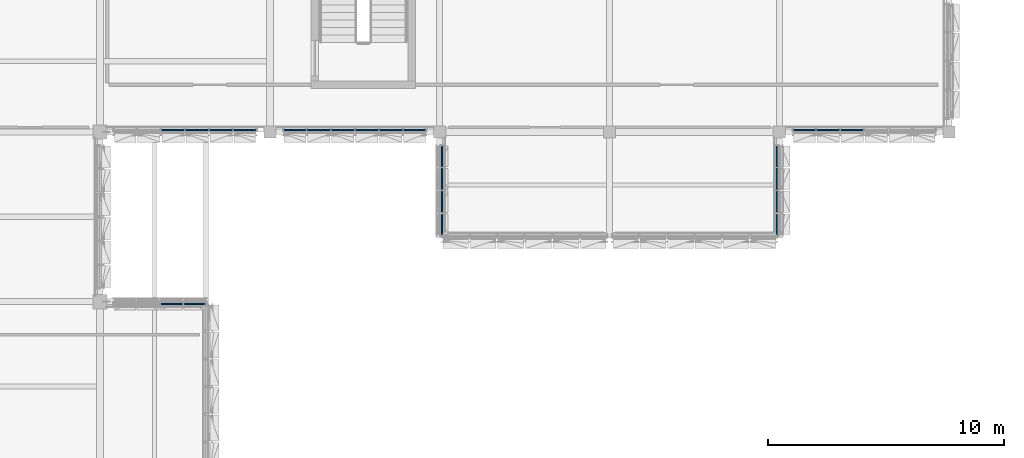
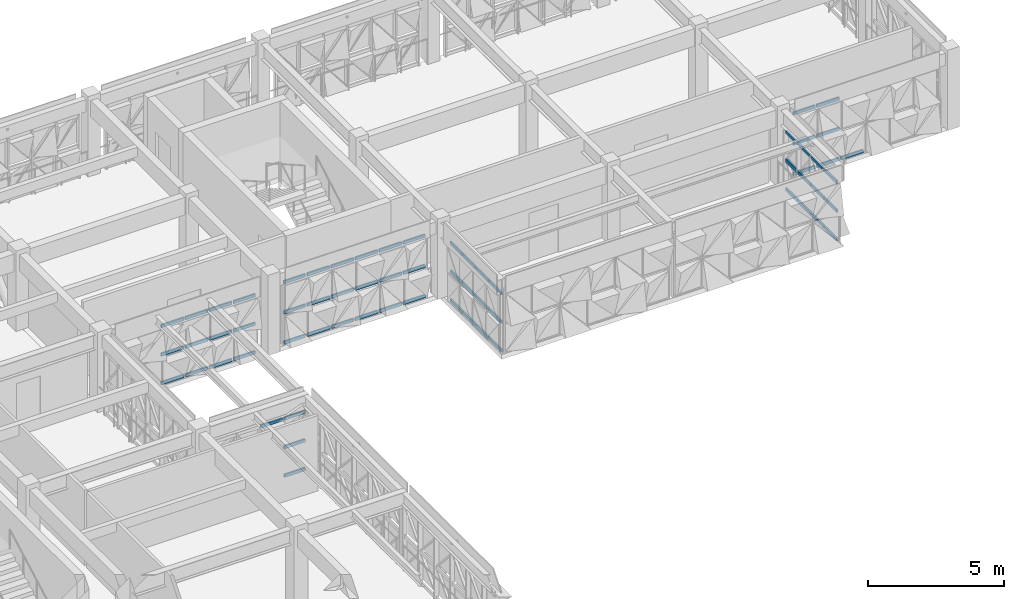
# One storey, part 24 of 99: 65 members, 6 elements without a shape of their own.
"""IFC4 building model written with IfcOpenShell, lengths in metres."""

from ifc_helpers import new_model, si_unit, direction, frame, origin, origin_2d, place, context, subcontext, project, spatial, rectangle, extrude, material, material_profile, profile_set, type_object, element, aggregate, save


model = new_model("IFC4")

# Units and contexts
model_context = context("Model", 3, precision=1e-05, world=origin(), true_north=direction((0.0, 1.0)))
body_context = subcontext(model_context, "Body", "Model", "MODEL_VIEW")
ifc_project = project(units=[si_unit("LENGTHUNIT", "METRE"), si_unit("AREAUNIT", "SQUARE_METRE"), si_unit("VOLUMEUNIT", "CUBIC_METRE"), si_unit("PLANEANGLEUNIT", "RADIAN"), si_unit("MASSUNIT", "GRAM", prefix="KILO")], contexts=[model_context])

# Site, building, storey
site_placement = place(None, origin())
site = spatial("IfcSite", under=ifc_project, at=site_placement, CompositionType="ELEMENT")
building_placement = place(site_placement, origin())
building = spatial("IfcBuilding", under=site, at=building_placement, Name="Alvorim Cloister Faculty of Sciences", CompositionType="ELEMENT")
storey_placement = place(building_placement, frame((0.0, 0.0, 12.14990234375)))
storey = spatial("IfcBuildingStorey", under=building, at=storey_placement, Name="L03", CompositionType="ELEMENT", Elevation=12.14990234375)

# Curtain wall, members
ifc_material_1 = material(Name="Aluminium and Low-E Glass Curtain Wall", Category="aluminium")
curtain_wall_type_1 = type_object("IfcCurtainWallType", Name="CW-TRI-6120x2850", PredefinedType="USERDEFINED", material=ifc_material_1)
curtain_wall_1_placement = place(storey_placement, origin())
curtain_wall_1 = element("IfcCurtainWall", 1, at=curtain_wall_1_placement, inside=storey, type_object=curtain_wall_type_1, Name="L03 Diagonal Cassette Curtain Wall CW-0132", ObjectType="UNITISED CURTAIN WALL", PredefinedType="USERDEFINED")
ifc_material_2 = material(Name="Aluminium Alloy 6063-T6", Category="aluminium")
ifc_material_profile = material_profile(ifc_material_2, rectangle(XDim=0.06494140625, YDim=0.139892578125, at=origin_2d()), Name="ALU-TRN-65x140")
ifc_profile_set = profile_set([ifc_material_profile], Name="Aluminium Alloy 6063-T6")
member_type = type_object("IfcMemberType", Name="CW-TRN-65x140", PredefinedType="USERDEFINED", material=ifc_profile_set)
member_1_placement = place(storey_placement, frame((58.205078125, 43.2900390625, 0.070068359375), z_axis=(1.0, 0.0, 0.0), x_axis=(0.0, 1.0, 0.0)))
member_1 = element("IfcMember", 2, at=member_1_placement, type_object=member_type, Name="CW-0132 Transom 1.1", ObjectType="TRANSOM", PredefinedType="USERDEFINED", context=body_context, shape_type="SweptSolid", body=[
    extrude(rectangle(XDim=0.06494140625, YDim=0.139892578125, at=origin_2d()), origin(), (0.0, 0.0, 1.0), 0.92236328125),
])
member_2_placement = place(storey_placement, frame((58.205078125, 43.2900390625, 1.425048828125), z_axis=(1.0, 0.0, 0.0), x_axis=(0.0, 1.0, 0.0)))
member_2 = element("IfcMember", 3, at=member_2_placement, type_object=member_type, Name="CW-0132 Transom 1.2", ObjectType="TRANSOM", PredefinedType="USERDEFINED", context=body_context, shape_type="SweptSolid", body=[
    extrude(rectangle(XDim=0.06494140625, YDim=0.139892578125, at=origin_2d()), origin(), (0.0, 0.0, 1.0), 0.92236328125),
])
member_3_placement = place(storey_placement, frame((58.205078125, 43.2900390625, 2.780029296875), z_axis=(1.0, 0.0, 0.0), x_axis=(0.0, 1.0, 0.0)))
member_3 = element("IfcMember", 4, at=member_3_placement, type_object=member_type, Name="CW-0132 Transom 1.3", ObjectType="TRANSOM", PredefinedType="USERDEFINED", context=body_context, shape_type="SweptSolid", body=[
    extrude(rectangle(XDim=0.06494140625, YDim=0.139892578125, at=origin_2d()), origin(), (0.0, 0.0, 1.0), 0.92236328125),
])
member_4_placement = place(storey_placement, frame((59.1923828125, 43.2900390625, 0.070068359375), z_axis=(1.0, 0.0, 0.0), x_axis=(0.0, 1.0, 0.0)))
member_4 = element("IfcMember", 5, at=member_4_placement, type_object=member_type, Name="CW-0132 Transom 2.1", ObjectType="TRANSOM", PredefinedType="USERDEFINED", context=body_context, shape_type="SweptSolid", body=[
    extrude(rectangle(XDim=0.06494140625, YDim=0.139892578125, at=origin_2d()), origin(), (0.0, 0.0, 1.0), 0.955078125),
])
member_5_placement = place(storey_placement, frame((59.1923828125, 43.2900390625, 1.425048828125), z_axis=(1.0, 0.0, 0.0), x_axis=(0.0, 1.0, 0.0)))
member_5 = element("IfcMember", 6, at=member_5_placement, type_object=member_type, Name="CW-0132 Transom 2.2", ObjectType="TRANSOM", PredefinedType="USERDEFINED", context=body_context, shape_type="SweptSolid", body=[
    extrude(rectangle(XDim=0.06494140625, YDim=0.139892578125, at=origin_2d()), origin(), (0.0, 0.0, 1.0), 0.955078125),
])
member_6_placement = place(storey_placement, frame((59.1923828125, 43.2900390625, 2.780029296875), z_axis=(1.0, 0.0, 0.0), x_axis=(0.0, 1.0, 0.0)))
member_6 = element("IfcMember", 7, at=member_6_placement, type_object=member_type, Name="CW-0132 Transom 2.3", ObjectType="TRANSOM", PredefinedType="USERDEFINED", context=body_context, shape_type="SweptSolid", body=[
    extrude(rectangle(XDim=0.06494140625, YDim=0.139892578125, at=origin_2d()), origin(), (0.0, 0.0, 1.0), 0.955078125),
])
member_7_placement = place(storey_placement, frame((60.21240234375, 43.2900390625, 0.070068359375), z_axis=(1.0, 0.0, 0.0), x_axis=(0.0, 1.0, 0.0)))
member_7 = element("IfcMember", 8, at=member_7_placement, type_object=member_type, Name="CW-0132 Transom 3.1", ObjectType="TRANSOM", PredefinedType="USERDEFINED", context=body_context, shape_type="SweptSolid", body=[
    extrude(rectangle(XDim=0.06494140625, YDim=0.139892578125, at=origin_2d()), origin(), (0.0, 0.0, 1.0), 0.955078125),
])
aggregate(curtain_wall_1, [member_1, member_2, member_3, member_4, member_5, member_6, member_7])

curtain_wall_type_2 = type_object("IfcCurtainWallType", Name="CW-TRI-3880x2706", PredefinedType="USERDEFINED", material=ifc_material_1)
curtain_wall_2_placement = place(storey_placement, origin())
curtain_wall_2 = element("IfcCurtainWall", 9, at=curtain_wall_2_placement, inside=storey, type_object=curtain_wall_type_2, Name="L03 Diagonal Cassette Curtain Wall CW-0133", ObjectType="UNITISED CURTAIN WALL", PredefinedType="USERDEFINED")
member_8_placement = place(storey_placement, frame((57.510009765625, 38.844970703125, 0.070068359375), z_axis=(0.0, 1.0, 0.0), x_axis=(-1.0, 0.0, 0.0)))
member_8 = element("IfcMember", 10, at=member_8_placement, type_object=member_type, Name="CW-0133 Transom 1.1", ObjectType="TRANSOM", PredefinedType="USERDEFINED", context=body_context, shape_type="SweptSolid", body=[
    extrude(rectangle(XDim=0.06494140625, YDim=0.139892578125, at=origin_2d()), origin(), (0.0, 0.0, 1.0), 0.87255859375),
])
member_9_placement = place(storey_placement, frame((57.510009765625, 38.844970703125, 1.35302734375), z_axis=(0.0, 1.0, 0.0), x_axis=(-1.0, 0.0, 0.0)))
member_9 = element("IfcMember", 11, at=member_9_placement, type_object=member_type, Name="CW-0133 Transom 1.2", ObjectType="TRANSOM", PredefinedType="USERDEFINED", context=body_context, shape_type="SweptSolid", body=[
    extrude(rectangle(XDim=0.06494140625, YDim=0.139892578125, at=origin_2d()), origin(), (0.0, 0.0, 1.0), 0.87255859375),
])
member_10_placement = place(storey_placement, frame((57.510009765625, 38.844970703125, 2.635986328125), z_axis=(0.0, 1.0, 0.0), x_axis=(-1.0, 0.0, 0.0)))
member_10 = element("IfcMember", 12, at=member_10_placement, type_object=member_type, Name="CW-0133 Transom 1.3", ObjectType="TRANSOM", PredefinedType="USERDEFINED", context=body_context, shape_type="SweptSolid", body=[
    extrude(rectangle(XDim=0.06494140625, YDim=0.139892578125, at=origin_2d()), origin(), (0.0, 0.0, 1.0), 0.87255859375),
])
member_11_placement = place(storey_placement, frame((57.510009765625, 39.782470703125, 0.070068359375), z_axis=(0.0, 1.0, 0.0), x_axis=(-1.0, 0.0, 0.0)))
member_11 = element("IfcMember", 13, at=member_11_placement, type_object=member_type, Name="CW-0133 Transom 2.1", ObjectType="TRANSOM", PredefinedType="USERDEFINED", context=body_context, shape_type="SweptSolid", body=[
    extrude(rectangle(XDim=0.06494140625, YDim=0.139892578125, at=origin_2d()), origin(), (0.0, 0.0, 1.0), 0.905029296875),
])
member_12_placement = place(storey_placement, frame((57.510009765625, 39.782470703125, 1.35302734375), z_axis=(0.0, 1.0, 0.0), x_axis=(-1.0, 0.0, 0.0)))
member_12 = element("IfcMember", 14, at=member_12_placement, type_object=member_type, Name="CW-0133 Transom 2.2", ObjectType="TRANSOM", PredefinedType="USERDEFINED", context=body_context, shape_type="SweptSolid", body=[
    extrude(rectangle(XDim=0.06494140625, YDim=0.139892578125, at=origin_2d()), origin(), (0.0, 0.0, 1.0), 0.905029296875),
])
member_13_placement = place(storey_placement, frame((57.510009765625, 39.782470703125, 2.635986328125), z_axis=(0.0, 1.0, 0.0), x_axis=(-1.0, 0.0, 0.0)))
member_13 = element("IfcMember", 15, at=member_13_placement, type_object=member_type, Name="CW-0133 Transom 2.3", ObjectType="TRANSOM", PredefinedType="USERDEFINED", context=body_context, shape_type="SweptSolid", body=[
    extrude(rectangle(XDim=0.06494140625, YDim=0.139892578125, at=origin_2d()), origin(), (0.0, 0.0, 1.0), 0.905029296875),
])
member_14_placement = place(storey_placement, frame((57.510009765625, 40.75244140625, 0.070068359375), z_axis=(0.0, 1.0, 0.0), x_axis=(-1.0, 0.0, 0.0)))
member_14 = element("IfcMember", 16, at=member_14_placement, type_object=member_type, Name="CW-0133 Transom 3.1", ObjectType="TRANSOM", PredefinedType="USERDEFINED", context=body_context, shape_type="SweptSolid", body=[
    extrude(rectangle(XDim=0.06494140625, YDim=0.139892578125, at=origin_2d()), origin(), (0.0, 0.0, 1.0), 0.905029296875),
])
member_15_placement = place(storey_placement, frame((57.510009765625, 40.75244140625, 1.35302734375), z_axis=(0.0, 1.0, 0.0), x_axis=(-1.0, 0.0, 0.0)))
member_15 = element("IfcMember", 17, at=member_15_placement, type_object=member_type, Name="CW-0133 Transom 3.2", ObjectType="TRANSOM", PredefinedType="USERDEFINED", context=body_context, shape_type="SweptSolid", body=[
    extrude(rectangle(XDim=0.06494140625, YDim=0.139892578125, at=origin_2d()), origin(), (0.0, 0.0, 1.0), 0.905029296875),
])
member_16_placement = place(storey_placement, frame((57.510009765625, 40.75244140625, 2.635986328125), z_axis=(0.0, 1.0, 0.0), x_axis=(-1.0, 0.0, 0.0)))
member_16 = element("IfcMember", 18, at=member_16_placement, type_object=member_type, Name="CW-0133 Transom 3.3", ObjectType="TRANSOM", PredefinedType="USERDEFINED", context=body_context, shape_type="SweptSolid", body=[
    extrude(rectangle(XDim=0.06494140625, YDim=0.139892578125, at=origin_2d()), origin(), (0.0, 0.0, 1.0), 0.905029296875),
])
member_17_placement = place(storey_placement, frame((57.510009765625, 41.722412109375, 0.070068359375), z_axis=(0.0, 1.0, 0.0), x_axis=(-1.0, 0.0, 0.0)))
member_17 = element("IfcMember", 19, at=member_17_placement, type_object=member_type, Name="CW-0133 Transom 4.1", ObjectType="TRANSOM", PredefinedType="USERDEFINED", context=body_context, shape_type="SweptSolid", body=[
    extrude(rectangle(XDim=0.06494140625, YDim=0.139892578125, at=origin_2d()), origin(), (0.0, 0.0, 1.0), 0.87255859375),
])
member_18_placement = place(storey_placement, frame((57.510009765625, 41.722412109375, 1.35302734375), z_axis=(0.0, 1.0, 0.0), x_axis=(-1.0, 0.0, 0.0)))
member_18 = element("IfcMember", 20, at=member_18_placement, type_object=member_type, Name="CW-0133 Transom 4.2", ObjectType="TRANSOM", PredefinedType="USERDEFINED", context=body_context, shape_type="SweptSolid", body=[
    extrude(rectangle(XDim=0.06494140625, YDim=0.139892578125, at=origin_2d()), origin(), (0.0, 0.0, 1.0), 0.87255859375),
])
member_19_placement = place(storey_placement, frame((57.510009765625, 41.722412109375, 2.635986328125), z_axis=(0.0, 1.0, 0.0), x_axis=(-1.0, 0.0, 0.0)))
member_19 = element("IfcMember", 21, at=member_19_placement, type_object=member_type, Name="CW-0133 Transom 4.3", ObjectType="TRANSOM", PredefinedType="USERDEFINED", context=body_context, shape_type="SweptSolid", body=[
    extrude(rectangle(XDim=0.06494140625, YDim=0.139892578125, at=origin_2d()), origin(), (0.0, 0.0, 1.0), 0.87255859375),
])
aggregate(curtain_wall_2, [member_8, member_9, member_10, member_11, member_12, member_13, member_14, member_15, member_16, member_17, member_18, member_19])

curtain_wall_3_placement = place(storey_placement, origin())
curtain_wall_3 = element("IfcCurtainWall", 22, at=curtain_wall_3_placement, inside=storey, type_object=curtain_wall_type_2, Name="L03 Diagonal Cassette Curtain Wall CW-0136", ObjectType="UNITISED CURTAIN WALL", PredefinedType="USERDEFINED")
member_20_placement = place(storey_placement, frame((43.2900390625, 38.844970703125, 0.070068359375), z_axis=(0.0, 1.0, 0.0), x_axis=(-1.0, 0.0, 0.0)))
member_20 = element("IfcMember", 23, at=member_20_placement, type_object=member_type, Name="CW-0136 Transom 1.1", ObjectType="TRANSOM", PredefinedType="USERDEFINED", context=body_context, shape_type="SweptSolid", body=[
    extrude(rectangle(XDim=0.06494140625, YDim=0.139892578125, at=origin_2d()), origin(), (0.0, 0.0, 1.0), 0.87255859375),
])
member_21_placement = place(storey_placement, frame((43.2900390625, 38.844970703125, 1.35302734375), z_axis=(0.0, 1.0, 0.0), x_axis=(-1.0, 0.0, 0.0)))
member_21 = element("IfcMember", 24, at=member_21_placement, type_object=member_type, Name="CW-0136 Transom 1.2", ObjectType="TRANSOM", PredefinedType="USERDEFINED", context=body_context, shape_type="SweptSolid", body=[
    extrude(rectangle(XDim=0.06494140625, YDim=0.139892578125, at=origin_2d()), origin(), (0.0, 0.0, 1.0), 0.87255859375),
])
member_22_placement = place(storey_placement, frame((43.2900390625, 38.844970703125, 2.635986328125), z_axis=(0.0, 1.0, 0.0), x_axis=(-1.0, 0.0, 0.0)))
member_22 = element("IfcMember", 25, at=member_22_placement, type_object=member_type, Name="CW-0136 Transom 1.3", ObjectType="TRANSOM", PredefinedType="USERDEFINED", context=body_context, shape_type="SweptSolid", body=[
    extrude(rectangle(XDim=0.06494140625, YDim=0.139892578125, at=origin_2d()), origin(), (0.0, 0.0, 1.0), 0.87255859375),
])
member_23_placement = place(storey_placement, frame((43.2900390625, 39.782470703125, 0.070068359375), z_axis=(0.0, 1.0, 0.0), x_axis=(-1.0, 0.0, 0.0)))
member_23 = element("IfcMember", 26, at=member_23_placement, type_object=member_type, Name="CW-0136 Transom 2.1", ObjectType="TRANSOM", PredefinedType="USERDEFINED", context=body_context, shape_type="SweptSolid", body=[
    extrude(rectangle(XDim=0.06494140625, YDim=0.139892578125, at=origin_2d()), origin(), (0.0, 0.0, 1.0), 0.905029296875),
])
member_24_placement = place(storey_placement, frame((43.2900390625, 39.782470703125, 1.35302734375), z_axis=(0.0, 1.0, 0.0), x_axis=(-1.0, 0.0, 0.0)))
member_24 = element("IfcMember", 27, at=member_24_placement, type_object=member_type, Name="CW-0136 Transom 2.2", ObjectType="TRANSOM", PredefinedType="USERDEFINED", context=body_context, shape_type="SweptSolid", body=[
    extrude(rectangle(XDim=0.06494140625, YDim=0.139892578125, at=origin_2d()), origin(), (0.0, 0.0, 1.0), 0.905029296875),
])
member_25_placement = place(storey_placement, frame((43.2900390625, 39.782470703125, 2.635986328125), z_axis=(0.0, 1.0, 0.0), x_axis=(-1.0, 0.0, 0.0)))
member_25 = element("IfcMember", 28, at=member_25_placement, type_object=member_type, Name="CW-0136 Transom 2.3", ObjectType="TRANSOM", PredefinedType="USERDEFINED", context=body_context, shape_type="SweptSolid", body=[
    extrude(rectangle(XDim=0.06494140625, YDim=0.139892578125, at=origin_2d()), origin(), (0.0, 0.0, 1.0), 0.905029296875),
])
member_26_placement = place(storey_placement, frame((43.2900390625, 40.75244140625, 0.070068359375), z_axis=(0.0, 1.0, 0.0), x_axis=(-1.0, 0.0, 0.0)))
member_26 = element("IfcMember", 29, at=member_26_placement, type_object=member_type, Name="CW-0136 Transom 3.1", ObjectType="TRANSOM", PredefinedType="USERDEFINED", context=body_context, shape_type="SweptSolid", body=[
    extrude(rectangle(XDim=0.06494140625, YDim=0.139892578125, at=origin_2d()), origin(), (0.0, 0.0, 1.0), 0.905029296875),
])
member_27_placement = place(storey_placement, frame((43.2900390625, 40.75244140625, 1.35302734375), z_axis=(0.0, 1.0, 0.0), x_axis=(-1.0, 0.0, 0.0)))
member_27 = element("IfcMember", 30, at=member_27_placement, type_object=member_type, Name="CW-0136 Transom 3.2", ObjectType="TRANSOM", PredefinedType="USERDEFINED", context=body_context, shape_type="SweptSolid", body=[
    extrude(rectangle(XDim=0.06494140625, YDim=0.139892578125, at=origin_2d()), origin(), (0.0, 0.0, 1.0), 0.905029296875),
])
member_28_placement = place(storey_placement, frame((43.2900390625, 40.75244140625, 2.635986328125), z_axis=(0.0, 1.0, 0.0), x_axis=(-1.0, 0.0, 0.0)))
member_28 = element("IfcMember", 31, at=member_28_placement, type_object=member_type, Name="CW-0136 Transom 3.3", ObjectType="TRANSOM", PredefinedType="USERDEFINED", context=body_context, shape_type="SweptSolid", body=[
    extrude(rectangle(XDim=0.06494140625, YDim=0.139892578125, at=origin_2d()), origin(), (0.0, 0.0, 1.0), 0.905029296875),
])
member_29_placement = place(storey_placement, frame((43.2900390625, 41.722412109375, 0.070068359375), z_axis=(0.0, 1.0, 0.0), x_axis=(-1.0, 0.0, 0.0)))
member_29 = element("IfcMember", 32, at=member_29_placement, type_object=member_type, Name="CW-0136 Transom 4.1", ObjectType="TRANSOM", PredefinedType="USERDEFINED", context=body_context, shape_type="SweptSolid", body=[
    extrude(rectangle(XDim=0.06494140625, YDim=0.139892578125, at=origin_2d()), origin(), (0.0, 0.0, 1.0), 0.87255859375),
])
member_30_placement = place(storey_placement, frame((43.2900390625, 41.722412109375, 1.35302734375), z_axis=(0.0, 1.0, 0.0), x_axis=(-1.0, 0.0, 0.0)))
member_30 = element("IfcMember", 33, at=member_30_placement, type_object=member_type, Name="CW-0136 Transom 4.2", ObjectType="TRANSOM", PredefinedType="USERDEFINED", context=body_context, shape_type="SweptSolid", body=[
    extrude(rectangle(XDim=0.06494140625, YDim=0.139892578125, at=origin_2d()), origin(), (0.0, 0.0, 1.0), 0.87255859375),
])
member_31_placement = place(storey_placement, frame((43.2900390625, 41.722412109375, 2.635986328125), z_axis=(0.0, 1.0, 0.0), x_axis=(-1.0, 0.0, 0.0)))
member_31 = element("IfcMember", 34, at=member_31_placement, type_object=member_type, Name="CW-0136 Transom 4.3", ObjectType="TRANSOM", PredefinedType="USERDEFINED", context=body_context, shape_type="SweptSolid", body=[
    extrude(rectangle(XDim=0.06494140625, YDim=0.139892578125, at=origin_2d()), origin(), (0.0, 0.0, 1.0), 0.87255859375),
])
aggregate(curtain_wall_3, [member_20, member_21, member_22, member_23, member_24, member_25, member_26, member_27, member_28, member_29, member_30, member_31])

curtain_wall_4_placement = place(storey_placement, origin())
curtain_wall_4 = element("IfcCurtainWall", 35, at=curtain_wall_4_placement, inside=storey, type_object=curtain_wall_type_1, Name="L03 Diagonal Cassette Curtain Wall CW-0137", ObjectType="UNITISED CURTAIN WALL", PredefinedType="USERDEFINED")
member_32_placement = place(storey_placement, frame((36.60498046875, 43.2900390625, 0.070068359375), z_axis=(1.0, 0.0, 0.0), x_axis=(0.0, 1.0, 0.0)))
member_32 = element("IfcMember", 36, at=member_32_placement, type_object=member_type, Name="CW-0137 Transom 1.1", ObjectType="TRANSOM", PredefinedType="USERDEFINED", context=body_context, shape_type="SweptSolid", body=[
    extrude(rectangle(XDim=0.06494140625, YDim=0.139892578125, at=origin_2d()), origin(), (0.0, 0.0, 1.0), 0.922607421875),
])
member_33_placement = place(storey_placement, frame((36.60498046875, 43.2900390625, 1.425048828125), z_axis=(1.0, 0.0, 0.0), x_axis=(0.0, 1.0, 0.0)))
member_33 = element("IfcMember", 37, at=member_33_placement, type_object=member_type, Name="CW-0137 Transom 1.2", ObjectType="TRANSOM", PredefinedType="USERDEFINED", context=body_context, shape_type="SweptSolid", body=[
    extrude(rectangle(XDim=0.06494140625, YDim=0.139892578125, at=origin_2d()), origin(), (0.0, 0.0, 1.0), 0.922607421875),
])
member_34_placement = place(storey_placement, frame((36.60498046875, 43.2900390625, 2.780029296875), z_axis=(1.0, 0.0, 0.0), x_axis=(0.0, 1.0, 0.0)))
member_34 = element("IfcMember", 38, at=member_34_placement, type_object=member_type, Name="CW-0137 Transom 1.3", ObjectType="TRANSOM", PredefinedType="USERDEFINED", context=body_context, shape_type="SweptSolid", body=[
    extrude(rectangle(XDim=0.06494140625, YDim=0.139892578125, at=origin_2d()), origin(), (0.0, 0.0, 1.0), 0.922607421875),
])
member_35_placement = place(storey_placement, frame((37.592529296875, 43.2900390625, 0.070068359375), z_axis=(1.0, 0.0, 0.0), x_axis=(0.0, 1.0, 0.0)))
member_35 = element("IfcMember", 39, at=member_35_placement, type_object=member_type, Name="CW-0137 Transom 2.1", ObjectType="TRANSOM", PredefinedType="USERDEFINED", context=body_context, shape_type="SweptSolid", body=[
    extrude(rectangle(XDim=0.06494140625, YDim=0.139892578125, at=origin_2d()), origin(), (0.0, 0.0, 1.0), 0.955078125),
])
member_36_placement = place(storey_placement, frame((37.592529296875, 43.2900390625, 1.425048828125), z_axis=(1.0, 0.0, 0.0), x_axis=(0.0, 1.0, 0.0)))
member_36 = element("IfcMember", 40, at=member_36_placement, type_object=member_type, Name="CW-0137 Transom 2.2", ObjectType="TRANSOM", PredefinedType="USERDEFINED", context=body_context, shape_type="SweptSolid", body=[
    extrude(rectangle(XDim=0.06494140625, YDim=0.139892578125, at=origin_2d()), origin(), (0.0, 0.0, 1.0), 0.955078125),
])
member_37_placement = place(storey_placement, frame((37.592529296875, 43.2900390625, 2.780029296875), z_axis=(1.0, 0.0, 0.0), x_axis=(0.0, 1.0, 0.0)))
member_37 = element("IfcMember", 41, at=member_37_placement, type_object=member_type, Name="CW-0137 Transom 2.3", ObjectType="TRANSOM", PredefinedType="USERDEFINED", context=body_context, shape_type="SweptSolid", body=[
    extrude(rectangle(XDim=0.06494140625, YDim=0.139892578125, at=origin_2d()), origin(), (0.0, 0.0, 1.0), 0.955078125),
])
member_38_placement = place(storey_placement, frame((38.612548828125, 43.2900390625, 0.070068359375), z_axis=(1.0, 0.0, 0.0), x_axis=(0.0, 1.0, 0.0)))
member_38 = element("IfcMember", 42, at=member_38_placement, type_object=member_type, Name="CW-0137 Transom 3.1", ObjectType="TRANSOM", PredefinedType="USERDEFINED", context=body_context, shape_type="SweptSolid", body=[
    extrude(rectangle(XDim=0.06494140625, YDim=0.139892578125, at=origin_2d()), origin(), (0.0, 0.0, 1.0), 0.954833984375),
])
member_39_placement = place(storey_placement, frame((38.612548828125, 43.2900390625, 1.425048828125), z_axis=(1.0, 0.0, 0.0), x_axis=(0.0, 1.0, 0.0)))
member_39 = element("IfcMember", 43, at=member_39_placement, type_object=member_type, Name="CW-0137 Transom 3.2", ObjectType="TRANSOM", PredefinedType="USERDEFINED", context=body_context, shape_type="SweptSolid", body=[
    extrude(rectangle(XDim=0.06494140625, YDim=0.139892578125, at=origin_2d()), origin(), (0.0, 0.0, 1.0), 0.954833984375),
])
member_40_placement = place(storey_placement, frame((38.612548828125, 43.2900390625, 2.780029296875), z_axis=(1.0, 0.0, 0.0), x_axis=(0.0, 1.0, 0.0)))
member_40 = element("IfcMember", 44, at=member_40_placement, type_object=member_type, Name="CW-0137 Transom 3.3", ObjectType="TRANSOM", PredefinedType="USERDEFINED", context=body_context, shape_type="SweptSolid", body=[
    extrude(rectangle(XDim=0.06494140625, YDim=0.139892578125, at=origin_2d()), origin(), (0.0, 0.0, 1.0), 0.954833984375),
])
member_41_placement = place(storey_placement, frame((39.632568359375, 43.2900390625, 0.070068359375), z_axis=(1.0, 0.0, 0.0), x_axis=(0.0, 1.0, 0.0)))
member_41 = element("IfcMember", 45, at=member_41_placement, type_object=member_type, Name="CW-0137 Transom 4.1", ObjectType="TRANSOM", PredefinedType="USERDEFINED", context=body_context, shape_type="SweptSolid", body=[
    extrude(rectangle(XDim=0.06494140625, YDim=0.139892578125, at=origin_2d()), origin(), (0.0, 0.0, 1.0), 0.954833984375),
])
member_42_placement = place(storey_placement, frame((39.632568359375, 43.2900390625, 1.425048828125), z_axis=(1.0, 0.0, 0.0), x_axis=(0.0, 1.0, 0.0)))
member_42 = element("IfcMember", 46, at=member_42_placement, type_object=member_type, Name="CW-0137 Transom 4.2", ObjectType="TRANSOM", PredefinedType="USERDEFINED", context=body_context, shape_type="SweptSolid", body=[
    extrude(rectangle(XDim=0.06494140625, YDim=0.139892578125, at=origin_2d()), origin(), (0.0, 0.0, 1.0), 0.954833984375),
])
member_43_placement = place(storey_placement, frame((39.632568359375, 43.2900390625, 2.780029296875), z_axis=(1.0, 0.0, 0.0), x_axis=(0.0, 1.0, 0.0)))
member_43 = element("IfcMember", 47, at=member_43_placement, type_object=member_type, Name="CW-0137 Transom 4.3", ObjectType="TRANSOM", PredefinedType="USERDEFINED", context=body_context, shape_type="SweptSolid", body=[
    extrude(rectangle(XDim=0.06494140625, YDim=0.139892578125, at=origin_2d()), origin(), (0.0, 0.0, 1.0), 0.954833984375),
])
member_44_placement = place(storey_placement, frame((40.652587890625, 43.2900390625, 0.070068359375), z_axis=(1.0, 0.0, 0.0), x_axis=(0.0, 1.0, 0.0)))
member_44 = element("IfcMember", 48, at=member_44_placement, type_object=member_type, Name="CW-0137 Transom 5.1", ObjectType="TRANSOM", PredefinedType="USERDEFINED", context=body_context, shape_type="SweptSolid", body=[
    extrude(rectangle(XDim=0.06494140625, YDim=0.139892578125, at=origin_2d()), origin(), (0.0, 0.0, 1.0), 0.954833984375),
])
member_45_placement = place(storey_placement, frame((40.652587890625, 43.2900390625, 1.425048828125), z_axis=(1.0, 0.0, 0.0), x_axis=(0.0, 1.0, 0.0)))
member_45 = element("IfcMember", 49, at=member_45_placement, type_object=member_type, Name="CW-0137 Transom 5.2", ObjectType="TRANSOM", PredefinedType="USERDEFINED", context=body_context, shape_type="SweptSolid", body=[
    extrude(rectangle(XDim=0.06494140625, YDim=0.139892578125, at=origin_2d()), origin(), (0.0, 0.0, 1.0), 0.954833984375),
])
member_46_placement = place(storey_placement, frame((40.652587890625, 43.2900390625, 2.780029296875), z_axis=(1.0, 0.0, 0.0), x_axis=(0.0, 1.0, 0.0)))
member_46 = element("IfcMember", 50, at=member_46_placement, type_object=member_type, Name="CW-0137 Transom 5.3", ObjectType="TRANSOM", PredefinedType="USERDEFINED", context=body_context, shape_type="SweptSolid", body=[
    extrude(rectangle(XDim=0.06494140625, YDim=0.139892578125, at=origin_2d()), origin(), (0.0, 0.0, 1.0), 0.954833984375),
])
member_47_placement = place(storey_placement, frame((41.672607421875, 43.2900390625, 0.070068359375), z_axis=(1.0, 0.0, 0.0), x_axis=(0.0, 1.0, 0.0)))
member_47 = element("IfcMember", 51, at=member_47_placement, type_object=member_type, Name="CW-0137 Transom 6.1", ObjectType="TRANSOM", PredefinedType="USERDEFINED", context=body_context, shape_type="SweptSolid", body=[
    extrude(rectangle(XDim=0.06494140625, YDim=0.139892578125, at=origin_2d()), origin(), (0.0, 0.0, 1.0), 0.92236328125),
])
member_48_placement = place(storey_placement, frame((41.672607421875, 43.2900390625, 1.425048828125), z_axis=(1.0, 0.0, 0.0), x_axis=(0.0, 1.0, 0.0)))
member_48 = element("IfcMember", 52, at=member_48_placement, type_object=member_type, Name="CW-0137 Transom 6.2", ObjectType="TRANSOM", PredefinedType="USERDEFINED", context=body_context, shape_type="SweptSolid", body=[
    extrude(rectangle(XDim=0.06494140625, YDim=0.139892578125, at=origin_2d()), origin(), (0.0, 0.0, 1.0), 0.92236328125),
])
member_49_placement = place(storey_placement, frame((41.672607421875, 43.2900390625, 2.780029296875), z_axis=(1.0, 0.0, 0.0), x_axis=(0.0, 1.0, 0.0)))
member_49 = element("IfcMember", 53, at=member_49_placement, type_object=member_type, Name="CW-0137 Transom 6.3", ObjectType="TRANSOM", PredefinedType="USERDEFINED", context=body_context, shape_type="SweptSolid", body=[
    extrude(rectangle(XDim=0.06494140625, YDim=0.139892578125, at=origin_2d()), origin(), (0.0, 0.0, 1.0), 0.92236328125),
])
aggregate(curtain_wall_4, [member_32, member_33, member_34, member_35, member_36, member_37, member_38, member_39, member_40, member_41, member_42, member_43, member_44, member_45, member_46, member_47, member_48, member_49])

curtain_wall_type_3 = type_object("IfcCurtainWallType", Name="CW-TRI-6120x2706", PredefinedType="USERDEFINED", material=ifc_material_1)
curtain_wall_5_placement = place(storey_placement, origin())
curtain_wall_5 = element("IfcCurtainWall", 54, at=curtain_wall_5_placement, inside=storey, type_object=curtain_wall_type_3, Name="L03 Diagonal Cassette Curtain Wall CW-0138", ObjectType="UNITISED CURTAIN WALL", PredefinedType="USERDEFINED")
member_50_placement = place(storey_placement, frame((31.41259765625, 43.2900390625, 0.070068359375), z_axis=(1.0, 0.0, 0.0), x_axis=(0.0, 1.0, 0.0)))
member_50 = element("IfcMember", 55, at=member_50_placement, type_object=member_type, Name="CW-0138 Transom 3.1", ObjectType="TRANSOM", PredefinedType="USERDEFINED", context=body_context, shape_type="SweptSolid", body=[
    extrude(rectangle(XDim=0.06494140625, YDim=0.139892578125, at=origin_2d()), origin(), (0.0, 0.0, 1.0), 0.954833984375),
])
member_51_placement = place(storey_placement, frame((31.41259765625, 43.2900390625, 1.35302734375), z_axis=(1.0, 0.0, 0.0), x_axis=(0.0, 1.0, 0.0)))
member_51 = element("IfcMember", 56, at=member_51_placement, type_object=member_type, Name="CW-0138 Transom 3.2", ObjectType="TRANSOM", PredefinedType="USERDEFINED", context=body_context, shape_type="SweptSolid", body=[
    extrude(rectangle(XDim=0.06494140625, YDim=0.139892578125, at=origin_2d()), origin(), (0.0, 0.0, 1.0), 0.954833984375),
])
member_52_placement = place(storey_placement, frame((31.41259765625, 43.2900390625, 2.635986328125), z_axis=(1.0, 0.0, 0.0), x_axis=(0.0, 1.0, 0.0)))
member_52 = element("IfcMember", 57, at=member_52_placement, type_object=member_type, Name="CW-0138 Transom 3.3", ObjectType="TRANSOM", PredefinedType="USERDEFINED", context=body_context, shape_type="SweptSolid", body=[
    extrude(rectangle(XDim=0.06494140625, YDim=0.139892578125, at=origin_2d()), origin(), (0.0, 0.0, 1.0), 0.954833984375),
])
member_53_placement = place(storey_placement, frame((32.4326171875, 43.2900390625, 0.070068359375), z_axis=(1.0, 0.0, 0.0), x_axis=(0.0, 1.0, 0.0)))
member_53 = element("IfcMember", 58, at=member_53_placement, type_object=member_type, Name="CW-0138 Transom 4.1", ObjectType="TRANSOM", PredefinedType="USERDEFINED", context=body_context, shape_type="SweptSolid", body=[
    extrude(rectangle(XDim=0.06494140625, YDim=0.139892578125, at=origin_2d()), origin(), (0.0, 0.0, 1.0), 0.954833984375),
])
member_54_placement = place(storey_placement, frame((32.4326171875, 43.2900390625, 1.35302734375), z_axis=(1.0, 0.0, 0.0), x_axis=(0.0, 1.0, 0.0)))
member_54 = element("IfcMember", 59, at=member_54_placement, type_object=member_type, Name="CW-0138 Transom 4.2", ObjectType="TRANSOM", PredefinedType="USERDEFINED", context=body_context, shape_type="SweptSolid", body=[
    extrude(rectangle(XDim=0.06494140625, YDim=0.139892578125, at=origin_2d()), origin(), (0.0, 0.0, 1.0), 0.954833984375),
])
member_55_placement = place(storey_placement, frame((32.4326171875, 43.2900390625, 2.635986328125), z_axis=(1.0, 0.0, 0.0), x_axis=(0.0, 1.0, 0.0)))
member_55 = element("IfcMember", 60, at=member_55_placement, type_object=member_type, Name="CW-0138 Transom 4.3", ObjectType="TRANSOM", PredefinedType="USERDEFINED", context=body_context, shape_type="SweptSolid", body=[
    extrude(rectangle(XDim=0.06494140625, YDim=0.139892578125, at=origin_2d()), origin(), (0.0, 0.0, 1.0), 0.954833984375),
])
member_56_placement = place(storey_placement, frame((33.452392578125, 43.2900390625, 0.070068359375), z_axis=(1.0, 0.0, 0.0), x_axis=(0.0, 1.0, 0.0)))
member_56 = element("IfcMember", 61, at=member_56_placement, type_object=member_type, Name="CW-0138 Transom 5.1", ObjectType="TRANSOM", PredefinedType="USERDEFINED", context=body_context, shape_type="SweptSolid", body=[
    extrude(rectangle(XDim=0.06494140625, YDim=0.139892578125, at=origin_2d()), origin(), (0.0, 0.0, 1.0), 0.955078125),
])
member_57_placement = place(storey_placement, frame((33.452392578125, 43.2900390625, 1.35302734375), z_axis=(1.0, 0.0, 0.0), x_axis=(0.0, 1.0, 0.0)))
member_57 = element("IfcMember", 62, at=member_57_placement, type_object=member_type, Name="CW-0138 Transom 5.2", ObjectType="TRANSOM", PredefinedType="USERDEFINED", context=body_context, shape_type="SweptSolid", body=[
    extrude(rectangle(XDim=0.06494140625, YDim=0.139892578125, at=origin_2d()), origin(), (0.0, 0.0, 1.0), 0.955078125),
])
member_58_placement = place(storey_placement, frame((33.452392578125, 43.2900390625, 2.635986328125), z_axis=(1.0, 0.0, 0.0), x_axis=(0.0, 1.0, 0.0)))
member_58 = element("IfcMember", 63, at=member_58_placement, type_object=member_type, Name="CW-0138 Transom 5.3", ObjectType="TRANSOM", PredefinedType="USERDEFINED", context=body_context, shape_type="SweptSolid", body=[
    extrude(rectangle(XDim=0.06494140625, YDim=0.139892578125, at=origin_2d()), origin(), (0.0, 0.0, 1.0), 0.955078125),
])
member_59_placement = place(storey_placement, frame((34.472412109375, 43.2900390625, 0.070068359375), z_axis=(1.0, 0.0, 0.0), x_axis=(0.0, 1.0, 0.0)))
member_59 = element("IfcMember", 64, at=member_59_placement, type_object=member_type, Name="CW-0138 Transom 6.1", ObjectType="TRANSOM", PredefinedType="USERDEFINED", context=body_context, shape_type="SweptSolid", body=[
    extrude(rectangle(XDim=0.06494140625, YDim=0.139892578125, at=origin_2d()), origin(), (0.0, 0.0, 1.0), 0.922607421875),
])
member_60_placement = place(storey_placement, frame((34.472412109375, 43.2900390625, 1.35302734375), z_axis=(1.0, 0.0, 0.0), x_axis=(0.0, 1.0, 0.0)))
member_60 = element("IfcMember", 65, at=member_60_placement, type_object=member_type, Name="CW-0138 Transom 6.2", ObjectType="TRANSOM", PredefinedType="USERDEFINED", context=body_context, shape_type="SweptSolid", body=[
    extrude(rectangle(XDim=0.06494140625, YDim=0.139892578125, at=origin_2d()), origin(), (0.0, 0.0, 1.0), 0.922607421875),
])
member_61_placement = place(storey_placement, frame((34.472412109375, 43.2900390625, 2.635986328125), z_axis=(1.0, 0.0, 0.0), x_axis=(0.0, 1.0, 0.0)))
member_61 = element("IfcMember", 66, at=member_61_placement, type_object=member_type, Name="CW-0138 Transom 6.3", ObjectType="TRANSOM", PredefinedType="USERDEFINED", context=body_context, shape_type="SweptSolid", body=[
    extrude(rectangle(XDim=0.06494140625, YDim=0.139892578125, at=origin_2d()), origin(), (0.0, 0.0, 1.0), 0.922607421875),
])
aggregate(curtain_wall_5, [member_50, member_51, member_52, member_53, member_54, member_55, member_56, member_57, member_58, member_59, member_60, member_61])

curtain_wall_type_4 = type_object("IfcCurtainWallType", Name="CW-TRI-3980x2706", PredefinedType="USERDEFINED", material=ifc_material_1)
curtain_wall_6_placement = place(storey_placement, origin())
curtain_wall_6 = element("IfcCurtainWall", 67, at=curtain_wall_6_placement, inside=storey, type_object=curtain_wall_type_4, Name="L03 Diagonal Cassette Curtain Wall CW-0140", ObjectType="UNITISED CURTAIN WALL", PredefinedType="USERDEFINED")
member_62_placement = place(storey_placement, frame((31.362548828125, 35.909912109375, 2.635986328125), z_axis=(1.0, 0.0, 0.0), x_axis=(0.0, 1.0, 0.0)))
member_62 = element("IfcMember", 68, at=member_62_placement, type_object=member_type, Name="CW-0140 Transom 3.3", ObjectType="TRANSOM", PredefinedType="USERDEFINED", context=body_context, shape_type="SweptSolid", body=[
    extrude(rectangle(XDim=0.06494140625, YDim=0.139892578125, at=origin_2d()), origin(), (0.0, 0.0, 1.0), 0.929931640625),
])
member_63_placement = place(storey_placement, frame((32.357421875, 35.909912109375, 0.070068359375), z_axis=(1.0, 0.0, 0.0), x_axis=(0.0, 1.0, 0.0)))
member_63 = element("IfcMember", 69, at=member_63_placement, type_object=member_type, Name="CW-0140 Transom 4.1", ObjectType="TRANSOM", PredefinedType="USERDEFINED", context=body_context, shape_type="SweptSolid", body=[
    extrude(rectangle(XDim=0.06494140625, YDim=0.139892578125, at=origin_2d()), origin(), (0.0, 0.0, 1.0), 0.8974609375),
])
member_64_placement = place(storey_placement, frame((32.357421875, 35.909912109375, 1.35302734375), z_axis=(1.0, 0.0, 0.0), x_axis=(0.0, 1.0, 0.0)))
member_64 = element("IfcMember", 70, at=member_64_placement, type_object=member_type, Name="CW-0140 Transom 4.2", ObjectType="TRANSOM", PredefinedType="USERDEFINED", context=body_context, shape_type="SweptSolid", body=[
    extrude(rectangle(XDim=0.06494140625, YDim=0.139892578125, at=origin_2d()), origin(), (0.0, 0.0, 1.0), 0.8974609375),
])
member_65_placement = place(storey_placement, frame((32.357421875, 35.909912109375, 2.635986328125), z_axis=(1.0, 0.0, 0.0), x_axis=(0.0, 1.0, 0.0)))
member_65 = element("IfcMember", 71, at=member_65_placement, type_object=member_type, Name="CW-0140 Transom 4.3", ObjectType="TRANSOM", PredefinedType="USERDEFINED", context=body_context, shape_type="SweptSolid", body=[
    extrude(rectangle(XDim=0.06494140625, YDim=0.139892578125, at=origin_2d()), origin(), (0.0, 0.0, 1.0), 0.8974609375),
])
aggregate(curtain_wall_6, [member_62, member_63, member_64, member_65])

save(model, "model.ifc")
